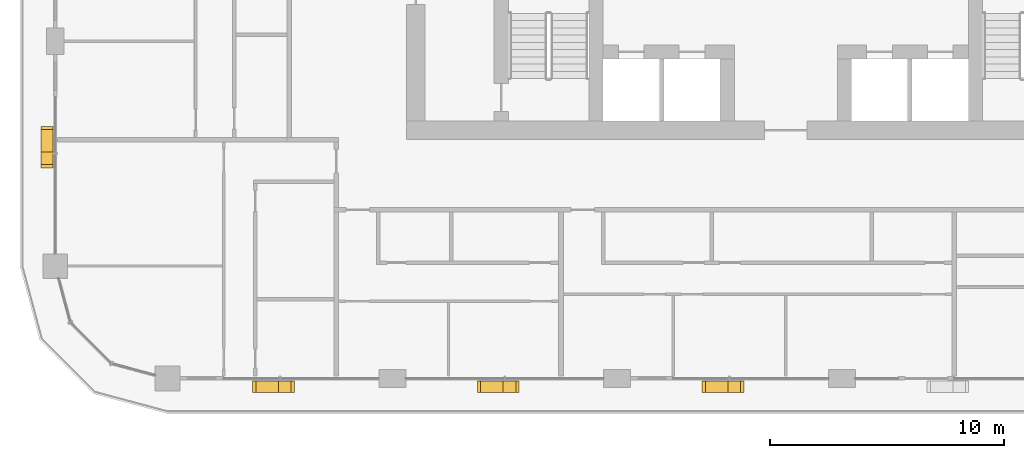
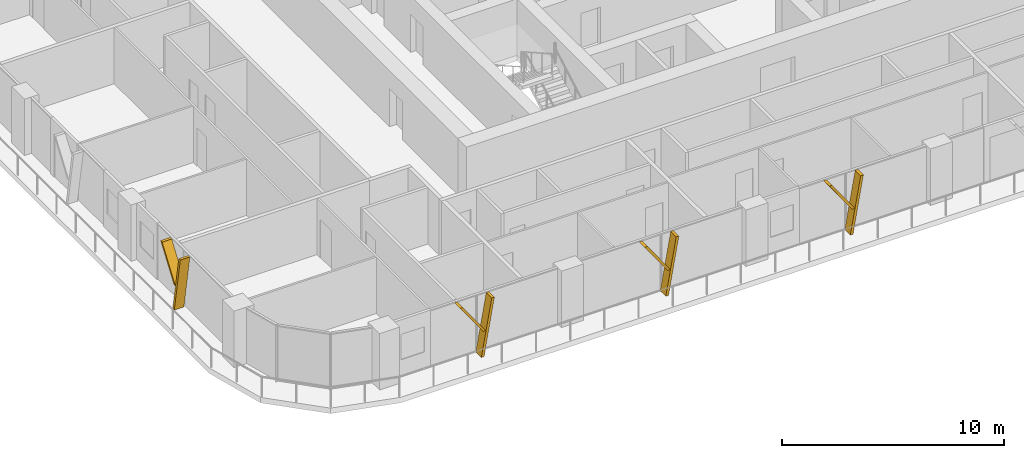
# One storey, part 16 of 22: 8 shading devices.
"""IFC4 building model written with IfcOpenShell, lengths in metres."""

from ifc_helpers import new_model, si_unit, direction, frame, origin, place, context, subcontext, project, spatial, polyline, outline, extrude, material, type_object, element, save


model = new_model("IFC4")

# Units and contexts
model_context = context("Model", 3, precision=1e-05, world=origin(), true_north=direction((0.0, 1.0)))
body_context = subcontext(model_context, "Body", "Model", "MODEL_VIEW")
ifc_project = project(units=[si_unit("LENGTHUNIT", "METRE"), si_unit("AREAUNIT", "SQUARE_METRE"), si_unit("VOLUMEUNIT", "CUBIC_METRE"), si_unit("PLANEANGLEUNIT", "RADIAN"), si_unit("MASSUNIT", "GRAM", prefix="KILO")], contexts=[model_context])

# Site, building, storey
site_placement = place(None, origin())
site = spatial("IfcSite", under=ifc_project, at=site_placement, CompositionType="ELEMENT")
building_placement = place(site_placement, origin())
building = spatial("IfcBuilding", under=site, at=building_placement, Name="Madar Terraces", CompositionType="ELEMENT")
storey_placement = place(building_placement, frame((0.0, 0.0, 140.10009765625)))
storey = spatial("IfcBuildingStorey", under=building, at=storey_placement, Name="L36", CompositionType="ELEMENT", Elevation=140.10009765625)

# Shading devices
ifc_material = material(Name="Aluminium, black anodised", Category="aluminium")
shading_device_type = type_object("IfcShadingDeviceType", Name="Facade fin blade 140 x 500", PredefinedType="USERDEFINED", material=ifc_material)
shading_device_1_placement = place(storey_placement, frame((9.530029296875, 4.449951171875, 0.0), z_axis=(0.0, 0.0, 1.0), x_axis=(1.0, 0.0, 0.0)))
element("IfcShadingDevice", 1, at=shading_device_1_placement, inside=storey, type_object=shading_device_type, Name="FIN L36 S1", ObjectType="FIN", PredefinedType="USERDEFINED", context=body_context, shape_type="SweptSolid", body=[
    extrude(outline(polyline([(0.0, 0.0), (0.139892578125, 0.0), (0.68310546875, 3.079833984375), (0.54296875, 3.079833984375), (0.0, 0.0)])), frame((0.0, 0.25, 0.0), z_axis=(0.0, -1.0, 0.0), x_axis=(1.0, 0.0, 0.0)), (0.0, 0.0, 1.0), 0.5),
])
shading_device_2_placement = place(storey_placement, frame((9.63427734375, 4.449951171875, 1.385986328125), z_axis=(0.0, 0.0, 1.0), x_axis=(1.0, 0.0, 0.0)))
element("IfcShadingDevice", 2, at=shading_device_2_placement, inside=storey, type_object=shading_device_type, Name="FIN L36 S1 branch", ObjectType="FIN", PredefinedType="USERDEFINED", context=body_context, shape_type="SweptSolid", body=[
    extrude(outline(polyline([(0.0, 0.0), (0.14013671875, 0.0), (-1.061279296875, 1.69384765625), (-1.201416015625, 1.69384765625), (0.0, 0.0)])), frame((0.0, 0.25, 0.0), z_axis=(0.0, -1.0, 0.0), x_axis=(1.0, 0.0, 0.0)), (0.0, 0.0, 1.0), 0.5),
])
shading_device_3_placement = place(storey_placement, frame((19.1298828125, 4.449951171875, 0.0), z_axis=(0.0, 0.0, 1.0), x_axis=(1.0, 0.0, 0.0)))
element("IfcShadingDevice", 3, at=shading_device_3_placement, inside=storey, type_object=shading_device_type, Name="FIN L36 S2", ObjectType="FIN", PredefinedType="USERDEFINED", context=body_context, shape_type="SweptSolid", body=[
    extrude(outline(polyline([(0.0, 0.0), (0.14013671875, 0.0), (0.68310546875, 3.079833984375), (0.54296875, 3.079833984375), (0.0, 0.0)])), frame((0.0, 0.25, 0.0), z_axis=(0.0, -1.0, 0.0), x_axis=(1.0, 0.0, 0.0)), (0.0, 0.0, 1.0), 0.5),
])
shading_device_4_placement = place(storey_placement, frame((19.234375, 4.449951171875, 1.385986328125), z_axis=(0.0, 0.0, 1.0), x_axis=(1.0, 0.0, 0.0)))
element("IfcShadingDevice", 4, at=shading_device_4_placement, inside=storey, type_object=shading_device_type, Name="FIN L36 S2 branch", ObjectType="FIN", PredefinedType="USERDEFINED", context=body_context, shape_type="SweptSolid", body=[
    extrude(outline(polyline([(0.0, 0.0), (0.139892578125, 0.0), (-1.061279296875, 1.69384765625), (-1.201416015625, 1.69384765625), (0.0, 0.0)])), frame((0.0, 0.25, 0.0), z_axis=(0.0, -1.0, 0.0), x_axis=(1.0, 0.0, 0.0)), (0.0, 0.0, 1.0), 0.5),
])
shading_device_5_placement = place(storey_placement, frame((28.72998046875, 4.449951171875, 0.0), z_axis=(0.0, 0.0, 1.0), x_axis=(1.0, 0.0, 0.0)))
element("IfcShadingDevice", 5, at=shading_device_5_placement, inside=storey, type_object=shading_device_type, Name="FIN L36 S3", ObjectType="FIN", PredefinedType="USERDEFINED", context=body_context, shape_type="SweptSolid", body=[
    extrude(outline(polyline([(0.0, 0.0), (0.14013671875, 0.0), (0.68310546875, 3.079833984375), (0.54296875, 3.079833984375), (0.0, 0.0)])), frame((0.0, 0.25, 0.0), z_axis=(0.0, -1.0, 0.0), x_axis=(1.0, 0.0, 0.0)), (0.0, 0.0, 1.0), 0.5),
])
shading_device_6_placement = place(storey_placement, frame((28.83447265625, 4.449951171875, 1.385986328125), z_axis=(0.0, 0.0, 1.0), x_axis=(1.0, 0.0, 0.0)))
element("IfcShadingDevice", 6, at=shading_device_6_placement, inside=storey, type_object=shading_device_type, Name="FIN L36 S3 branch", ObjectType="FIN", PredefinedType="USERDEFINED", context=body_context, shape_type="SweptSolid", body=[
    extrude(outline(polyline([(0.0, 0.0), (0.139892578125, 0.0), (-1.061279296875, 1.69384765625), (-1.201416015625, 1.69384765625), (0.0, 0.0)])), frame((0.0, 0.25, 0.0), z_axis=(0.0, -1.0, 0.0), x_axis=(1.0, 0.0, 0.0)), (0.0, 0.0, 1.0), 0.5),
])
shading_device_7_placement = place(storey_placement, frame((-0.35009765625, 14.469970703125, 0.0), z_axis=(0.0, 0.0, 1.0), x_axis=(0.0, -1.0, 0.0)))
element("IfcShadingDevice", 7, at=shading_device_7_placement, inside=storey, type_object=shading_device_type, Name="FIN L36 W4", ObjectType="FIN", PredefinedType="USERDEFINED", context=body_context, shape_type="SweptSolid", body=[
    extrude(outline(polyline([(0.0, 0.0), (0.139892578125, 0.0), (0.68310546875, 3.079833984375), (0.54296875, 3.079833984375), (0.0, 0.0)])), frame((0.0, 0.25, 0.0), z_axis=(0.0, -1.0, 0.0), x_axis=(1.0, 0.0, 0.0)), (0.0, 0.0, 1.0), 0.5),
])
shading_device_8_placement = place(storey_placement, frame((-0.35009765625, 14.36572265625, 1.385986328125), z_axis=(0.0, 0.0, 1.0), x_axis=(0.0, -1.0, 0.0)))
element("IfcShadingDevice", 8, at=shading_device_8_placement, inside=storey, type_object=shading_device_type, Name="FIN L36 W4 branch", ObjectType="FIN", PredefinedType="USERDEFINED", context=body_context, shape_type="SweptSolid", body=[
    extrude(outline(polyline([(0.0, 0.0), (0.14013671875, 0.0), (-1.061279296875, 1.69384765625), (-1.201416015625, 1.69384765625), (0.0, 0.0)])), frame((0.0, 0.25, 0.0), z_axis=(0.0, -1.0, 0.0), x_axis=(1.0, 0.0, 0.0)), (0.0, 0.0, 1.0), 0.5),
])

save(model, "model.ifc")
